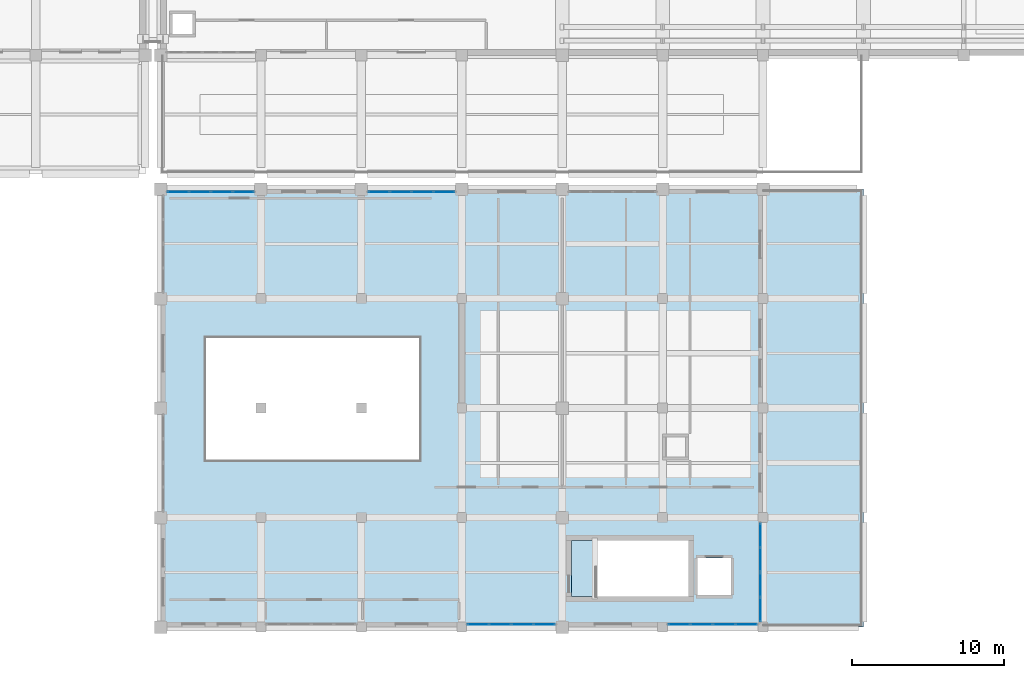
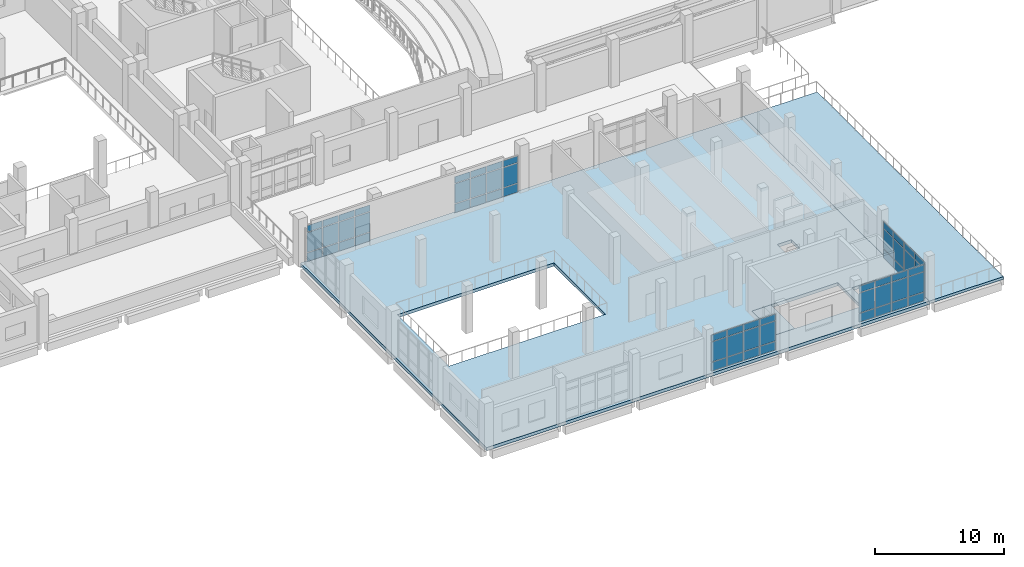
# One storey, part 27 of 54: 60 plates, 3 slabs, 6 elements without a shape of their own.
"""IFC4 building model written with IfcOpenShell, lengths in metres."""

from ifc_helpers import new_model, si_unit, direction, frame, origin, origin_2d, place, context, subcontext, project, spatial, polyline, rectangle, outline, extrude, material, layer, layer_set, type_object, element, aggregate, save


model = new_model("IFC4")

# Units and contexts
model_context = context("Model", 3, precision=1e-05, world=origin(), true_north=direction((0.0, 1.0)))
body_context = subcontext(model_context, "Body", "Model", "MODEL_VIEW")
ifc_project = project(units=[si_unit("LENGTHUNIT", "METRE"), si_unit("AREAUNIT", "SQUARE_METRE"), si_unit("VOLUMEUNIT", "CUBIC_METRE"), si_unit("PLANEANGLEUNIT", "RADIAN"), si_unit("MASSUNIT", "GRAM", prefix="KILO")], contexts=[model_context])

# Site, building, storey
site_placement = place(None, origin())
site = spatial("IfcSite", under=ifc_project, at=site_placement, CompositionType="ELEMENT")
building_placement = place(site_placement, origin())
building = spatial("IfcBuilding", under=site, at=building_placement, Name="Kelarvand Opera House", CompositionType="ELEMENT")
storey_placement = place(building_placement, frame((0.0, 0.0, 15.0)))
storey = spatial("IfcBuildingStorey", under=building, at=storey_placement, Name="L03", CompositionType="ELEMENT", Elevation=15.0)

# Slab
ifc_material_1 = material(Name="Concrete C35/45", Category="concrete")
ifc_layer_1 = layer(ifc_material_1, 0.219970703125, Name="Concrete C35/45", Category="concrete")
ifc_layer_set_1 = layer_set([ifc_layer_1], Name="Concrete C35/45")
slab_type_1 = type_object("IfcSlabType", Name="Core Stair Entry Landing Slab 220", PredefinedType="LANDING", material=ifc_layer_set_1)
slab_1_placement = place(storey_placement, frame((0.0, 0.0, -0.219970703125)))
element("IfcSlab", 1, at=slab_1_placement, inside=storey, type_object=slab_type_1, Name="C8 Stair Entry Landing L03", PredefinedType="LANDING", context=body_context, shape_type="SweptSolid", body=[
    extrude(outline(polyline([(116.0, 11.0), (117.719970703125, 11.0), (117.719970703125, 14.699951171875), (116.0, 14.699951171875), (116.0, 11.0)])), origin(), (0.0, 0.0, 1.0), 0.219970703125),
])

# Curtain wall, plates
ifc_material_2 = material(Name="Thermally broken aluminium and low-E glazing", Category="aluminium")
ifc_layer_2 = layer(ifc_material_2, 0.179931640625, Name="Thermally broken aluminium and low-E glazing", Category="aluminium")
ifc_layer_set_2 = layer_set([ifc_layer_2], Name="Thermally broken aluminium and low-E glazing")
curtain_wall_type_1 = type_object("IfcCurtainWallType", Name="Unitised Low-E Curtain Wall 3261x3530 Mod 1350 CWF-57", PredefinedType="USERDEFINED", material=ifc_layer_set_2)
curtain_wall_1_placement = place(storey_placement, origin())
curtain_wall_1 = element("IfcCurtainWall", 2, at=curtain_wall_1_placement, inside=storey, type_object=curtain_wall_type_1, Name="V6 L03 Curtain Wall CWF-57 (229)", ObjectType="UNITISED CURTAIN WALL", PredefinedType="USERDEFINED")
ifc_material_3 = material(Name="Low-E laminated double glazing", Category="glass")
ifc_layer_3 = layer(ifc_material_3, 0.031982421875, Name="Low-E laminated double glazing", Category="glass")
ifc_layer_set_3 = layer_set([ifc_layer_3], Name="Low-E laminated double glazing")
plate_type = type_object("IfcPlateType", Name="Low-E Argon Double Glazed Curtain Panel 32mm", PredefinedType="CURTAIN_PANEL", material=ifc_layer_set_3)
plate_1_placement = place(storey_placement, frame((128.419921875, 15.033447265625, 0.06494140625), z_axis=(0.0, 0.0, 1.0), x_axis=(0.0, -1.0, 0.0)))
plate_1 = element("IfcPlate", 3, at=plate_1_placement, type_object=plate_type, Name="CWF-57 panel 1.1", PredefinedType="CURTAIN_PANEL", context=body_context, shape_type="SweptSolid", body=[
    extrude(rectangle(XDim=1.532958984375, YDim=0.031982421875, at=origin_2d()), origin(), (0.0, 0.0, 1.0), 0.802490234375),
])
plate_2_placement = place(storey_placement, frame((128.419921875, 15.033447265625, 0.9326171875), z_axis=(0.0, 0.0, 1.0), x_axis=(0.0, -1.0, 0.0)))
plate_2 = element("IfcPlate", 4, at=plate_2_placement, type_object=plate_type, Name="CWF-57 panel 1.2", PredefinedType="CURTAIN_PANEL", context=body_context, shape_type="SweptSolid", body=[
    extrude(rectangle(XDim=1.532958984375, YDim=0.031982421875, at=origin_2d()), origin(), (0.0, 0.0, 1.0), 1.864990234375),
])
plate_3_placement = place(storey_placement, frame((128.419921875, 15.033447265625, 2.862548828125), z_axis=(0.0, 0.0, 1.0), x_axis=(0.0, -1.0, 0.0)))
plate_3 = element("IfcPlate", 5, at=plate_3_placement, type_object=plate_type, Name="CWF-57 panel 1.3", PredefinedType="CURTAIN_PANEL", context=body_context, shape_type="SweptSolid", body=[
    extrude(rectangle(XDim=1.532958984375, YDim=0.031982421875, at=origin_2d()), origin(), (0.0, 0.0, 1.0), 0.6025390625),
])
plate_4_placement = place(storey_placement, frame((128.419921875, 13.435546875, 0.06494140625), z_axis=(0.0, 0.0, 1.0), x_axis=(0.0, -1.0, 0.0)))
plate_4 = element("IfcPlate", 6, at=plate_4_placement, type_object=plate_type, Name="CWF-57 panel 2.1", PredefinedType="CURTAIN_PANEL", context=body_context, shape_type="SweptSolid", body=[
    extrude(rectangle(XDim=1.532958984375, YDim=0.031982421875, at=origin_2d()), origin(), (0.0, 0.0, 1.0), 0.802490234375),
])
plate_5_placement = place(storey_placement, frame((128.419921875, 13.435546875, 0.9326171875), z_axis=(0.0, 0.0, 1.0), x_axis=(0.0, -1.0, 0.0)))
plate_5 = element("IfcPlate", 7, at=plate_5_placement, type_object=plate_type, Name="CWF-57 panel 2.2", PredefinedType="CURTAIN_PANEL", context=body_context, shape_type="SweptSolid", body=[
    extrude(rectangle(XDim=1.532958984375, YDim=0.031982421875, at=origin_2d()), origin(), (0.0, 0.0, 1.0), 1.864990234375),
])
plate_6_placement = place(storey_placement, frame((128.419921875, 13.435546875, 2.862548828125), z_axis=(0.0, 0.0, 1.0), x_axis=(0.0, -1.0, 0.0)))
plate_6 = element("IfcPlate", 8, at=plate_6_placement, type_object=plate_type, Name="CWF-57 panel 2.3", PredefinedType="CURTAIN_PANEL", context=body_context, shape_type="SweptSolid", body=[
    extrude(rectangle(XDim=1.532958984375, YDim=0.031982421875, at=origin_2d()), origin(), (0.0, 0.0, 1.0), 0.6025390625),
])
aggregate(curtain_wall_1, [plate_1, plate_2, plate_3, plate_4, plate_5, plate_6])

curtain_wall_2_placement = place(storey_placement, origin())
curtain_wall_2 = element("IfcCurtainWall", 9, at=curtain_wall_2_placement, inside=storey, type_object=curtain_wall_type_1, Name="V6 L03 Curtain Wall CWF-57 (230)", ObjectType="UNITISED CURTAIN WALL", PredefinedType="USERDEFINED")
plate_7_placement = place(storey_placement, frame((128.419921875, 11.767578125, 0.06494140625), z_axis=(0.0, 0.0, 1.0), x_axis=(0.0, -1.0, 0.0)))
plate_7 = element("IfcPlate", 10, at=plate_7_placement, type_object=plate_type, Name="CWF-57 panel 1.1", PredefinedType="CURTAIN_PANEL", context=body_context, shape_type="SweptSolid", body=[
    extrude(rectangle(XDim=1.534912109375, YDim=0.031982421875, at=origin_2d()), origin(), (0.0, 0.0, 1.0), 0.802490234375),
])
plate_8_placement = place(storey_placement, frame((128.419921875, 11.767578125, 0.9326171875), z_axis=(0.0, 0.0, 1.0), x_axis=(0.0, -1.0, 0.0)))
plate_8 = element("IfcPlate", 11, at=plate_8_placement, type_object=plate_type, Name="CWF-57 panel 1.2", PredefinedType="CURTAIN_PANEL", context=body_context, shape_type="SweptSolid", body=[
    extrude(rectangle(XDim=1.534912109375, YDim=0.031982421875, at=origin_2d()), origin(), (0.0, 0.0, 1.0), 1.864990234375),
])
plate_9_placement = place(storey_placement, frame((128.419921875, 11.767578125, 2.862548828125), z_axis=(0.0, 0.0, 1.0), x_axis=(0.0, -1.0, 0.0)))
plate_9 = element("IfcPlate", 12, at=plate_9_placement, type_object=plate_type, Name="CWF-57 panel 1.3", PredefinedType="CURTAIN_PANEL", context=body_context, shape_type="SweptSolid", body=[
    extrude(rectangle(XDim=1.534912109375, YDim=0.031982421875, at=origin_2d()), origin(), (0.0, 0.0, 1.0), 0.6025390625),
])
plate_10_placement = place(storey_placement, frame((128.419921875, 10.16748046875, 0.06494140625), z_axis=(0.0, 0.0, 1.0), x_axis=(0.0, -1.0, 0.0)))
plate_10 = element("IfcPlate", 13, at=plate_10_placement, type_object=plate_type, Name="CWF-57 panel 2.1", PredefinedType="CURTAIN_PANEL", context=body_context, shape_type="SweptSolid", body=[
    extrude(rectangle(XDim=1.534912109375, YDim=0.031982421875, at=origin_2d()), origin(), (0.0, 0.0, 1.0), 0.802490234375),
])
plate_11_placement = place(storey_placement, frame((128.419921875, 10.16748046875, 0.9326171875), z_axis=(0.0, 0.0, 1.0), x_axis=(0.0, -1.0, 0.0)))
plate_11 = element("IfcPlate", 14, at=plate_11_placement, type_object=plate_type, Name="CWF-57 panel 2.2", PredefinedType="CURTAIN_PANEL", context=body_context, shape_type="SweptSolid", body=[
    extrude(rectangle(XDim=1.534912109375, YDim=0.031982421875, at=origin_2d()), origin(), (0.0, 0.0, 1.0), 1.864990234375),
])
plate_12_placement = place(storey_placement, frame((128.419921875, 10.16748046875, 2.862548828125), z_axis=(0.0, 0.0, 1.0), x_axis=(0.0, -1.0, 0.0)))
plate_12 = element("IfcPlate", 15, at=plate_12_placement, type_object=plate_type, Name="CWF-57 panel 2.3", PredefinedType="CURTAIN_PANEL", context=body_context, shape_type="SweptSolid", body=[
    extrude(rectangle(XDim=1.534912109375, YDim=0.031982421875, at=origin_2d()), origin(), (0.0, 0.0, 1.0), 0.6025390625),
])
aggregate(curtain_wall_2, [plate_7, plate_8, plate_9, plate_10, plate_11, plate_12])

ifc_layer_4 = layer(ifc_material_2, 0.179931640625, Name="Thermally broken aluminium and low-E glazing", Category="aluminium")
ifc_layer_set_4 = layer_set([ifc_layer_4], Name="Thermally broken aluminium and low-E glazing")
curtain_wall_type_2 = type_object("IfcCurtainWallType", Name="Unitised Low-E Curtain Wall 5760x3530 Mod 1350 CWF-58", PredefinedType="USERDEFINED", material=ifc_layer_set_4)
curtain_wall_3_placement = place(storey_placement, origin())
curtain_wall_3 = element("IfcCurtainWall", 16, at=curtain_wall_3_placement, inside=storey, type_object=curtain_wall_type_2, Name="V6 L03 Curtain Wall CWF-58 (231)", ObjectType="UNITISED CURTAIN WALL", PredefinedType="USERDEFINED")
plate_13_placement = place(storey_placement, frame((90.15625, 37.6201171875, 0.06494140625), z_axis=(0.0, 0.0, 1.0), x_axis=(1.0, 0.0, 0.0)))
plate_13 = element("IfcPlate", 17, at=plate_13_placement, type_object=plate_type, Name="CWF-58 panel 1.1", PredefinedType="CURTAIN_PANEL", context=body_context, shape_type="SweptSolid", body=[
    extrude(rectangle(XDim=1.342529296875, YDim=0.031982421875, at=origin_2d()), origin(), (0.0, 0.0, 1.0), 0.802490234375),
])
plate_14_placement = place(storey_placement, frame((90.15625, 37.6201171875, 0.9326171875), z_axis=(0.0, 0.0, 1.0), x_axis=(1.0, 0.0, 0.0)))
plate_14 = element("IfcPlate", 18, at=plate_14_placement, type_object=plate_type, Name="CWF-58 panel 1.2", PredefinedType="CURTAIN_PANEL", context=body_context, shape_type="SweptSolid", body=[
    extrude(rectangle(XDim=1.342529296875, YDim=0.031982421875, at=origin_2d()), origin(), (0.0, 0.0, 1.0), 1.864990234375),
])
plate_15_placement = place(storey_placement, frame((90.15625, 37.6201171875, 2.862548828125), z_axis=(0.0, 0.0, 1.0), x_axis=(1.0, 0.0, 0.0)))
plate_15 = element("IfcPlate", 19, at=plate_15_placement, type_object=plate_type, Name="CWF-58 panel 1.3", PredefinedType="CURTAIN_PANEL", context=body_context, shape_type="SweptSolid", body=[
    extrude(rectangle(XDim=1.342529296875, YDim=0.031982421875, at=origin_2d()), origin(), (0.0, 0.0, 1.0), 0.6025390625),
])
plate_16_placement = place(storey_placement, frame((91.580078125, 37.6201171875, 0.06494140625), z_axis=(0.0, 0.0, 1.0), x_axis=(1.0, 0.0, 0.0)))
plate_16 = element("IfcPlate", 20, at=plate_16_placement, type_object=plate_type, Name="CWF-58 panel 2.1", PredefinedType="CURTAIN_PANEL", context=body_context, shape_type="SweptSolid", body=[
    extrude(rectangle(XDim=1.375, YDim=0.031982421875, at=origin_2d()), origin(), (0.0, 0.0, 1.0), 0.802490234375),
])
plate_17_placement = place(storey_placement, frame((91.580078125, 37.6201171875, 0.9326171875), z_axis=(0.0, 0.0, 1.0), x_axis=(1.0, 0.0, 0.0)))
plate_17 = element("IfcPlate", 21, at=plate_17_placement, type_object=plate_type, Name="CWF-58 panel 2.2", PredefinedType="CURTAIN_PANEL", context=body_context, shape_type="SweptSolid", body=[
    extrude(rectangle(XDim=1.375, YDim=0.031982421875, at=origin_2d()), origin(), (0.0, 0.0, 1.0), 1.864990234375),
])
plate_18_placement = place(storey_placement, frame((91.580078125, 37.6201171875, 2.862548828125), z_axis=(0.0, 0.0, 1.0), x_axis=(1.0, 0.0, 0.0)))
plate_18 = element("IfcPlate", 22, at=plate_18_placement, type_object=plate_type, Name="CWF-58 panel 2.3", PredefinedType="CURTAIN_PANEL", context=body_context, shape_type="SweptSolid", body=[
    extrude(rectangle(XDim=1.375, YDim=0.031982421875, at=origin_2d()), origin(), (0.0, 0.0, 1.0), 0.6025390625),
])
plate_19_placement = place(storey_placement, frame((93.02001953125, 37.6201171875, 0.06494140625), z_axis=(0.0, 0.0, 1.0), x_axis=(1.0, 0.0, 0.0)))
plate_19 = element("IfcPlate", 23, at=plate_19_placement, type_object=plate_type, Name="CWF-58 panel 3.1", PredefinedType="CURTAIN_PANEL", context=body_context, shape_type="SweptSolid", body=[
    extrude(rectangle(XDim=1.375, YDim=0.031982421875, at=origin_2d()), origin(), (0.0, 0.0, 1.0), 0.802490234375),
])
plate_20_placement = place(storey_placement, frame((93.02001953125, 37.6201171875, 0.9326171875), z_axis=(0.0, 0.0, 1.0), x_axis=(1.0, 0.0, 0.0)))
plate_20 = element("IfcPlate", 24, at=plate_20_placement, type_object=plate_type, Name="CWF-58 panel 3.2", PredefinedType="CURTAIN_PANEL", context=body_context, shape_type="SweptSolid", body=[
    extrude(rectangle(XDim=1.375, YDim=0.031982421875, at=origin_2d()), origin(), (0.0, 0.0, 1.0), 1.864990234375),
])
plate_21_placement = place(storey_placement, frame((93.02001953125, 37.6201171875, 2.862548828125), z_axis=(0.0, 0.0, 1.0), x_axis=(1.0, 0.0, 0.0)))
plate_21 = element("IfcPlate", 25, at=plate_21_placement, type_object=plate_type, Name="CWF-58 panel 3.3", PredefinedType="CURTAIN_PANEL", context=body_context, shape_type="SweptSolid", body=[
    extrude(rectangle(XDim=1.375, YDim=0.031982421875, at=origin_2d()), origin(), (0.0, 0.0, 1.0), 0.6025390625),
])
plate_22_placement = place(storey_placement, frame((94.44384765625, 37.6201171875, 0.06494140625), z_axis=(0.0, 0.0, 1.0), x_axis=(1.0, 0.0, 0.0)))
plate_22 = element("IfcPlate", 26, at=plate_22_placement, type_object=plate_type, Name="CWF-58 panel 4.1", PredefinedType="CURTAIN_PANEL", context=body_context, shape_type="SweptSolid", body=[
    extrude(rectangle(XDim=1.342529296875, YDim=0.031982421875, at=origin_2d()), origin(), (0.0, 0.0, 1.0), 0.802490234375),
])
plate_23_placement = place(storey_placement, frame((94.44384765625, 37.6201171875, 0.9326171875), z_axis=(0.0, 0.0, 1.0), x_axis=(1.0, 0.0, 0.0)))
plate_23 = element("IfcPlate", 27, at=plate_23_placement, type_object=plate_type, Name="CWF-58 panel 4.2", PredefinedType="CURTAIN_PANEL", context=body_context, shape_type="SweptSolid", body=[
    extrude(rectangle(XDim=1.342529296875, YDim=0.031982421875, at=origin_2d()), origin(), (0.0, 0.0, 1.0), 1.864990234375),
])
plate_24_placement = place(storey_placement, frame((94.44384765625, 37.6201171875, 2.862548828125), z_axis=(0.0, 0.0, 1.0), x_axis=(1.0, 0.0, 0.0)))
plate_24 = element("IfcPlate", 28, at=plate_24_placement, type_object=plate_type, Name="CWF-58 panel 4.3", PredefinedType="CURTAIN_PANEL", context=body_context, shape_type="SweptSolid", body=[
    extrude(rectangle(XDim=1.342529296875, YDim=0.031982421875, at=origin_2d()), origin(), (0.0, 0.0, 1.0), 0.6025390625),
])
aggregate(curtain_wall_3, [plate_13, plate_14, plate_15, plate_16, plate_17, plate_18, plate_19, plate_20, plate_21, plate_22, plate_23, plate_24])

curtain_wall_4_placement = place(storey_placement, origin())
curtain_wall_4 = element("IfcCurtainWall", 29, at=curtain_wall_4_placement, inside=storey, type_object=curtain_wall_type_2, Name="V6 L03 Curtain Wall CWF-58 (232)", ObjectType="UNITISED CURTAIN WALL", PredefinedType="USERDEFINED")
plate_25_placement = place(storey_placement, frame((103.356201171875, 37.6201171875, 0.06494140625), z_axis=(0.0, 0.0, 1.0), x_axis=(1.0, 0.0, 0.0)))
plate_25 = element("IfcPlate", 30, at=plate_25_placement, type_object=plate_type, Name="CWF-58 panel 1.1", PredefinedType="CURTAIN_PANEL", context=body_context, shape_type="SweptSolid", body=[
    extrude(rectangle(XDim=1.342529296875, YDim=0.031982421875, at=origin_2d()), origin(), (0.0, 0.0, 1.0), 0.802490234375),
])
plate_26_placement = place(storey_placement, frame((103.356201171875, 37.6201171875, 0.9326171875), z_axis=(0.0, 0.0, 1.0), x_axis=(1.0, 0.0, 0.0)))
plate_26 = element("IfcPlate", 31, at=plate_26_placement, type_object=plate_type, Name="CWF-58 panel 1.2", PredefinedType="CURTAIN_PANEL", context=body_context, shape_type="SweptSolid", body=[
    extrude(rectangle(XDim=1.342529296875, YDim=0.031982421875, at=origin_2d()), origin(), (0.0, 0.0, 1.0), 1.864990234375),
])
plate_27_placement = place(storey_placement, frame((103.356201171875, 37.6201171875, 2.862548828125), z_axis=(0.0, 0.0, 1.0), x_axis=(1.0, 0.0, 0.0)))
plate_27 = element("IfcPlate", 32, at=plate_27_placement, type_object=plate_type, Name="CWF-58 panel 1.3", PredefinedType="CURTAIN_PANEL", context=body_context, shape_type="SweptSolid", body=[
    extrude(rectangle(XDim=1.342529296875, YDim=0.031982421875, at=origin_2d()), origin(), (0.0, 0.0, 1.0), 0.6025390625),
])
plate_28_placement = place(storey_placement, frame((104.780029296875, 37.6201171875, 0.06494140625), z_axis=(0.0, 0.0, 1.0), x_axis=(1.0, 0.0, 0.0)))
plate_28 = element("IfcPlate", 33, at=plate_28_placement, type_object=plate_type, Name="CWF-58 panel 2.1", PredefinedType="CURTAIN_PANEL", context=body_context, shape_type="SweptSolid", body=[
    extrude(rectangle(XDim=1.375, YDim=0.031982421875, at=origin_2d()), origin(), (0.0, 0.0, 1.0), 0.802490234375),
])
plate_29_placement = place(storey_placement, frame((104.780029296875, 37.6201171875, 0.9326171875), z_axis=(0.0, 0.0, 1.0), x_axis=(1.0, 0.0, 0.0)))
plate_29 = element("IfcPlate", 34, at=plate_29_placement, type_object=plate_type, Name="CWF-58 panel 2.2", PredefinedType="CURTAIN_PANEL", context=body_context, shape_type="SweptSolid", body=[
    extrude(rectangle(XDim=1.375, YDim=0.031982421875, at=origin_2d()), origin(), (0.0, 0.0, 1.0), 1.864990234375),
])
plate_30_placement = place(storey_placement, frame((104.780029296875, 37.6201171875, 2.862548828125), z_axis=(0.0, 0.0, 1.0), x_axis=(1.0, 0.0, 0.0)))
plate_30 = element("IfcPlate", 35, at=plate_30_placement, type_object=plate_type, Name="CWF-58 panel 2.3", PredefinedType="CURTAIN_PANEL", context=body_context, shape_type="SweptSolid", body=[
    extrude(rectangle(XDim=1.375, YDim=0.031982421875, at=origin_2d()), origin(), (0.0, 0.0, 1.0), 0.6025390625),
])
plate_31_placement = place(storey_placement, frame((106.219970703125, 37.6201171875, 0.06494140625), z_axis=(0.0, 0.0, 1.0), x_axis=(1.0, 0.0, 0.0)))
plate_31 = element("IfcPlate", 36, at=plate_31_placement, type_object=plate_type, Name="CWF-58 panel 3.1", PredefinedType="CURTAIN_PANEL", context=body_context, shape_type="SweptSolid", body=[
    extrude(rectangle(XDim=1.375, YDim=0.031982421875, at=origin_2d()), origin(), (0.0, 0.0, 1.0), 0.802490234375),
])
plate_32_placement = place(storey_placement, frame((106.219970703125, 37.6201171875, 0.9326171875), z_axis=(0.0, 0.0, 1.0), x_axis=(1.0, 0.0, 0.0)))
plate_32 = element("IfcPlate", 37, at=plate_32_placement, type_object=plate_type, Name="CWF-58 panel 3.2", PredefinedType="CURTAIN_PANEL", context=body_context, shape_type="SweptSolid", body=[
    extrude(rectangle(XDim=1.375, YDim=0.031982421875, at=origin_2d()), origin(), (0.0, 0.0, 1.0), 1.864990234375),
])
plate_33_placement = place(storey_placement, frame((106.219970703125, 37.6201171875, 2.862548828125), z_axis=(0.0, 0.0, 1.0), x_axis=(1.0, 0.0, 0.0)))
plate_33 = element("IfcPlate", 38, at=plate_33_placement, type_object=plate_type, Name="CWF-58 panel 3.3", PredefinedType="CURTAIN_PANEL", context=body_context, shape_type="SweptSolid", body=[
    extrude(rectangle(XDim=1.375, YDim=0.031982421875, at=origin_2d()), origin(), (0.0, 0.0, 1.0), 0.6025390625),
])
plate_34_placement = place(storey_placement, frame((107.643798828125, 37.6201171875, 0.06494140625), z_axis=(0.0, 0.0, 1.0), x_axis=(1.0, 0.0, 0.0)))
plate_34 = element("IfcPlate", 39, at=plate_34_placement, type_object=plate_type, Name="CWF-58 panel 4.1", PredefinedType="CURTAIN_PANEL", context=body_context, shape_type="SweptSolid", body=[
    extrude(rectangle(XDim=1.342529296875, YDim=0.031982421875, at=origin_2d()), origin(), (0.0, 0.0, 1.0), 0.802490234375),
])
plate_35_placement = place(storey_placement, frame((107.643798828125, 37.6201171875, 0.9326171875), z_axis=(0.0, 0.0, 1.0), x_axis=(1.0, 0.0, 0.0)))
plate_35 = element("IfcPlate", 40, at=plate_35_placement, type_object=plate_type, Name="CWF-58 panel 4.2", PredefinedType="CURTAIN_PANEL", context=body_context, shape_type="SweptSolid", body=[
    extrude(rectangle(XDim=1.342529296875, YDim=0.031982421875, at=origin_2d()), origin(), (0.0, 0.0, 1.0), 1.864990234375),
])
plate_36_placement = place(storey_placement, frame((107.643798828125, 37.6201171875, 2.862548828125), z_axis=(0.0, 0.0, 1.0), x_axis=(1.0, 0.0, 0.0)))
plate_36 = element("IfcPlate", 41, at=plate_36_placement, type_object=plate_type, Name="CWF-58 panel 4.3", PredefinedType="CURTAIN_PANEL", context=body_context, shape_type="SweptSolid", body=[
    extrude(rectangle(XDim=1.342529296875, YDim=0.031982421875, at=origin_2d()), origin(), (0.0, 0.0, 1.0), 0.6025390625),
])
aggregate(curtain_wall_4, [plate_25, plate_26, plate_27, plate_28, plate_29, plate_30, plate_31, plate_32, plate_33, plate_34, plate_35, plate_36])

ifc_layer_5 = layer(ifc_material_2, 0.179931640625, Name="Thermally broken aluminium and low-E glazing", Category="aluminium")
ifc_layer_set_5 = layer_set([ifc_layer_5], Name="Thermally broken aluminium and low-E glazing")
curtain_wall_type_3 = type_object("IfcCurtainWallType", Name="Unitised Low-E Curtain Wall 5930x3530 Mod 1350 CWF-60", PredefinedType="USERDEFINED", material=ifc_layer_set_5)
curtain_wall_5_placement = place(storey_placement, origin())
curtain_wall_5 = element("IfcCurtainWall", 42, at=curtain_wall_5_placement, inside=storey, type_object=curtain_wall_type_3, Name="V6 L03 Curtain Wall CWF-60 (238)", ObjectType="UNITISED CURTAIN WALL", PredefinedType="USERDEFINED")
plate_37_placement = place(storey_placement, frame((127.507568359375, 9.179931640625, 0.06494140625), z_axis=(0.0, 0.0, 1.0), x_axis=(-1.0, 0.0, 0.0)))
plate_37 = element("IfcPlate", 43, at=plate_37_placement, type_object=plate_type, Name="CWF-60 panel 1.1", PredefinedType="CURTAIN_PANEL", context=body_context, shape_type="SweptSolid", body=[
    extrude(rectangle(XDim=1.385009765625, YDim=0.031982421875, at=origin_2d()), origin(), (0.0, 0.0, 1.0), 0.802490234375),
])
plate_38_placement = place(storey_placement, frame((127.507568359375, 9.179931640625, 0.9326171875), z_axis=(0.0, 0.0, 1.0), x_axis=(-1.0, 0.0, 0.0)))
plate_38 = element("IfcPlate", 44, at=plate_38_placement, type_object=plate_type, Name="CWF-60 panel 1.2", PredefinedType="CURTAIN_PANEL", context=body_context, shape_type="SweptSolid", body=[
    extrude(rectangle(XDim=1.385009765625, YDim=0.031982421875, at=origin_2d()), origin(), (0.0, 0.0, 1.0), 1.864990234375),
])
plate_39_placement = place(storey_placement, frame((127.507568359375, 9.179931640625, 2.862548828125), z_axis=(0.0, 0.0, 1.0), x_axis=(-1.0, 0.0, 0.0)))
plate_39 = element("IfcPlate", 45, at=plate_39_placement, type_object=plate_type, Name="CWF-60 panel 1.3", PredefinedType="CURTAIN_PANEL", context=body_context, shape_type="SweptSolid", body=[
    extrude(rectangle(XDim=1.385009765625, YDim=0.031982421875, at=origin_2d()), origin(), (0.0, 0.0, 1.0), 0.6025390625),
])
plate_40_placement = place(storey_placement, frame((126.041259765625, 9.179931640625, 0.06494140625), z_axis=(0.0, 0.0, 1.0), x_axis=(-1.0, 0.0, 0.0)))
plate_40 = element("IfcPlate", 46, at=plate_40_placement, type_object=plate_type, Name="CWF-60 panel 2.1", PredefinedType="CURTAIN_PANEL", context=body_context, shape_type="SweptSolid", body=[
    extrude(rectangle(XDim=1.41748046875, YDim=0.031982421875, at=origin_2d()), origin(), (0.0, 0.0, 1.0), 0.802490234375),
])
plate_41_placement = place(storey_placement, frame((126.041259765625, 9.179931640625, 0.9326171875), z_axis=(0.0, 0.0, 1.0), x_axis=(-1.0, 0.0, 0.0)))
plate_41 = element("IfcPlate", 47, at=plate_41_placement, type_object=plate_type, Name="CWF-60 panel 2.2", PredefinedType="CURTAIN_PANEL", context=body_context, shape_type="SweptSolid", body=[
    extrude(rectangle(XDim=1.41748046875, YDim=0.031982421875, at=origin_2d()), origin(), (0.0, 0.0, 1.0), 1.864990234375),
])
plate_42_placement = place(storey_placement, frame((126.041259765625, 9.179931640625, 2.862548828125), z_axis=(0.0, 0.0, 1.0), x_axis=(-1.0, 0.0, 0.0)))
plate_42 = element("IfcPlate", 48, at=plate_42_placement, type_object=plate_type, Name="CWF-60 panel 2.3", PredefinedType="CURTAIN_PANEL", context=body_context, shape_type="SweptSolid", body=[
    extrude(rectangle(XDim=1.41748046875, YDim=0.031982421875, at=origin_2d()), origin(), (0.0, 0.0, 1.0), 0.6025390625),
])
plate_43_placement = place(storey_placement, frame((124.558837890625, 9.179931640625, 0.06494140625), z_axis=(0.0, 0.0, 1.0), x_axis=(-1.0, 0.0, 0.0)))
plate_43 = element("IfcPlate", 49, at=plate_43_placement, type_object=plate_type, Name="CWF-60 panel 3.1", PredefinedType="CURTAIN_PANEL", context=body_context, shape_type="SweptSolid", body=[
    extrude(rectangle(XDim=1.41748046875, YDim=0.031982421875, at=origin_2d()), origin(), (0.0, 0.0, 1.0), 0.802490234375),
])
plate_44_placement = place(storey_placement, frame((124.558837890625, 9.179931640625, 0.9326171875), z_axis=(0.0, 0.0, 1.0), x_axis=(-1.0, 0.0, 0.0)))
plate_44 = element("IfcPlate", 50, at=plate_44_placement, type_object=plate_type, Name="CWF-60 panel 3.2", PredefinedType="CURTAIN_PANEL", context=body_context, shape_type="SweptSolid", body=[
    extrude(rectangle(XDim=1.41748046875, YDim=0.031982421875, at=origin_2d()), origin(), (0.0, 0.0, 1.0), 1.864990234375),
])
plate_45_placement = place(storey_placement, frame((124.558837890625, 9.179931640625, 2.862548828125), z_axis=(0.0, 0.0, 1.0), x_axis=(-1.0, 0.0, 0.0)))
plate_45 = element("IfcPlate", 51, at=plate_45_placement, type_object=plate_type, Name="CWF-60 panel 3.3", PredefinedType="CURTAIN_PANEL", context=body_context, shape_type="SweptSolid", body=[
    extrude(rectangle(XDim=1.41748046875, YDim=0.031982421875, at=origin_2d()), origin(), (0.0, 0.0, 1.0), 0.6025390625),
])
plate_46_placement = place(storey_placement, frame((123.092529296875, 9.179931640625, 0.06494140625), z_axis=(0.0, 0.0, 1.0), x_axis=(-1.0, 0.0, 0.0)))
plate_46 = element("IfcPlate", 52, at=plate_46_placement, type_object=plate_type, Name="CWF-60 panel 4.1", PredefinedType="CURTAIN_PANEL", context=body_context, shape_type="SweptSolid", body=[
    extrude(rectangle(XDim=1.385009765625, YDim=0.031982421875, at=origin_2d()), origin(), (0.0, 0.0, 1.0), 0.802490234375),
])
plate_47_placement = place(storey_placement, frame((123.092529296875, 9.179931640625, 0.9326171875), z_axis=(0.0, 0.0, 1.0), x_axis=(-1.0, 0.0, 0.0)))
plate_47 = element("IfcPlate", 53, at=plate_47_placement, type_object=plate_type, Name="CWF-60 panel 4.2", PredefinedType="CURTAIN_PANEL", context=body_context, shape_type="SweptSolid", body=[
    extrude(rectangle(XDim=1.385009765625, YDim=0.031982421875, at=origin_2d()), origin(), (0.0, 0.0, 1.0), 1.864990234375),
])
plate_48_placement = place(storey_placement, frame((123.092529296875, 9.179931640625, 2.862548828125), z_axis=(0.0, 0.0, 1.0), x_axis=(-1.0, 0.0, 0.0)))
plate_48 = element("IfcPlate", 54, at=plate_48_placement, type_object=plate_type, Name="CWF-60 panel 4.3", PredefinedType="CURTAIN_PANEL", context=body_context, shape_type="SweptSolid", body=[
    extrude(rectangle(XDim=1.385009765625, YDim=0.031982421875, at=origin_2d()), origin(), (0.0, 0.0, 1.0), 0.6025390625),
])
aggregate(curtain_wall_5, [plate_37, plate_38, plate_39, plate_40, plate_41, plate_42, plate_43, plate_44, plate_45, plate_46, plate_47, plate_48])

ifc_layer_6 = layer(ifc_material_2, 0.179931640625, Name="Thermally broken aluminium and low-E glazing", Category="aluminium")
ifc_layer_set_6 = layer_set([ifc_layer_6], Name="Thermally broken aluminium and low-E glazing")
curtain_wall_type_4 = type_object("IfcCurtainWallType", Name="Unitised Low-E Curtain Wall 5845x3530 Mod 1350 CWF-61", PredefinedType="USERDEFINED", material=ifc_layer_set_6)
curtain_wall_6_placement = place(storey_placement, origin())
curtain_wall_6 = element("IfcCurtainWall", 55, at=curtain_wall_6_placement, inside=storey, type_object=curtain_wall_type_4, Name="V6 L03 Curtain Wall CWF-61 (239)", ObjectType="UNITISED CURTAIN WALL", PredefinedType="USERDEFINED")
plate_49_placement = place(storey_placement, frame((114.233154296875, 9.179931640625, 0.06494140625), z_axis=(0.0, 0.0, 1.0), x_axis=(-1.0, 0.0, 0.0)))
plate_49 = element("IfcPlate", 56, at=plate_49_placement, type_object=plate_type, Name="CWF-61 panel 1.1", PredefinedType="CURTAIN_PANEL", context=body_context, shape_type="SweptSolid", body=[
    extrude(rectangle(XDim=1.36376953125, YDim=0.031982421875, at=origin_2d()), origin(), (0.0, 0.0, 1.0), 0.802490234375),
])
plate_50_placement = place(storey_placement, frame((114.233154296875, 9.179931640625, 0.9326171875), z_axis=(0.0, 0.0, 1.0), x_axis=(-1.0, 0.0, 0.0)))
plate_50 = element("IfcPlate", 57, at=plate_50_placement, type_object=plate_type, Name="CWF-61 panel 1.2", PredefinedType="CURTAIN_PANEL", context=body_context, shape_type="SweptSolid", body=[
    extrude(rectangle(XDim=1.36376953125, YDim=0.031982421875, at=origin_2d()), origin(), (0.0, 0.0, 1.0), 1.864990234375),
])
plate_51_placement = place(storey_placement, frame((114.233154296875, 9.179931640625, 2.862548828125), z_axis=(0.0, 0.0, 1.0), x_axis=(-1.0, 0.0, 0.0)))
plate_51 = element("IfcPlate", 58, at=plate_51_placement, type_object=plate_type, Name="CWF-61 panel 1.3", PredefinedType="CURTAIN_PANEL", context=body_context, shape_type="SweptSolid", body=[
    extrude(rectangle(XDim=1.36376953125, YDim=0.031982421875, at=origin_2d()), origin(), (0.0, 0.0, 1.0), 0.6025390625),
])
plate_52_placement = place(storey_placement, frame((112.7880859375, 9.179931640625, 0.06494140625), z_axis=(0.0, 0.0, 1.0), x_axis=(-1.0, 0.0, 0.0)))
plate_52 = element("IfcPlate", 59, at=plate_52_placement, type_object=plate_type, Name="CWF-61 panel 2.1", PredefinedType="CURTAIN_PANEL", context=body_context, shape_type="SweptSolid", body=[
    extrude(rectangle(XDim=1.396240234375, YDim=0.031982421875, at=origin_2d()), origin(), (0.0, 0.0, 1.0), 0.802490234375),
])
plate_53_placement = place(storey_placement, frame((112.7880859375, 9.179931640625, 0.9326171875), z_axis=(0.0, 0.0, 1.0), x_axis=(-1.0, 0.0, 0.0)))
plate_53 = element("IfcPlate", 60, at=plate_53_placement, type_object=plate_type, Name="CWF-61 panel 2.2", PredefinedType="CURTAIN_PANEL", context=body_context, shape_type="SweptSolid", body=[
    extrude(rectangle(XDim=1.396240234375, YDim=0.031982421875, at=origin_2d()), origin(), (0.0, 0.0, 1.0), 1.864990234375),
])
plate_54_placement = place(storey_placement, frame((112.7880859375, 9.179931640625, 2.862548828125), z_axis=(0.0, 0.0, 1.0), x_axis=(-1.0, 0.0, 0.0)))
plate_54 = element("IfcPlate", 61, at=plate_54_placement, type_object=plate_type, Name="CWF-61 panel 2.3", PredefinedType="CURTAIN_PANEL", context=body_context, shape_type="SweptSolid", body=[
    extrude(rectangle(XDim=1.396240234375, YDim=0.031982421875, at=origin_2d()), origin(), (0.0, 0.0, 1.0), 0.6025390625),
])
plate_55_placement = place(storey_placement, frame((111.326904296875, 9.179931640625, 0.06494140625), z_axis=(0.0, 0.0, 1.0), x_axis=(-1.0, 0.0, 0.0)))
plate_55 = element("IfcPlate", 62, at=plate_55_placement, type_object=plate_type, Name="CWF-61 panel 3.1", PredefinedType="CURTAIN_PANEL", context=body_context, shape_type="SweptSolid", body=[
    extrude(rectangle(XDim=1.396240234375, YDim=0.031982421875, at=origin_2d()), origin(), (0.0, 0.0, 1.0), 0.802490234375),
])
plate_56_placement = place(storey_placement, frame((111.326904296875, 9.179931640625, 0.9326171875), z_axis=(0.0, 0.0, 1.0), x_axis=(-1.0, 0.0, 0.0)))
plate_56 = element("IfcPlate", 63, at=plate_56_placement, type_object=plate_type, Name="CWF-61 panel 3.2", PredefinedType="CURTAIN_PANEL", context=body_context, shape_type="SweptSolid", body=[
    extrude(rectangle(XDim=1.396240234375, YDim=0.031982421875, at=origin_2d()), origin(), (0.0, 0.0, 1.0), 1.864990234375),
])
plate_57_placement = place(storey_placement, frame((111.326904296875, 9.179931640625, 2.862548828125), z_axis=(0.0, 0.0, 1.0), x_axis=(-1.0, 0.0, 0.0)))
plate_57 = element("IfcPlate", 64, at=plate_57_placement, type_object=plate_type, Name="CWF-61 panel 3.3", PredefinedType="CURTAIN_PANEL", context=body_context, shape_type="SweptSolid", body=[
    extrude(rectangle(XDim=1.396240234375, YDim=0.031982421875, at=origin_2d()), origin(), (0.0, 0.0, 1.0), 0.6025390625),
])
plate_58_placement = place(storey_placement, frame((109.8818359375, 9.179931640625, 0.06494140625), z_axis=(0.0, 0.0, 1.0), x_axis=(-1.0, 0.0, 0.0)))
plate_58 = element("IfcPlate", 65, at=plate_58_placement, type_object=plate_type, Name="CWF-61 panel 4.1", PredefinedType="CURTAIN_PANEL", context=body_context, shape_type="SweptSolid", body=[
    extrude(rectangle(XDim=1.36376953125, YDim=0.031982421875, at=origin_2d()), origin(), (0.0, 0.0, 1.0), 0.802490234375),
])
plate_59_placement = place(storey_placement, frame((109.8818359375, 9.179931640625, 0.9326171875), z_axis=(0.0, 0.0, 1.0), x_axis=(-1.0, 0.0, 0.0)))
plate_59 = element("IfcPlate", 66, at=plate_59_placement, type_object=plate_type, Name="CWF-61 panel 4.2", PredefinedType="CURTAIN_PANEL", context=body_context, shape_type="SweptSolid", body=[
    extrude(rectangle(XDim=1.36376953125, YDim=0.031982421875, at=origin_2d()), origin(), (0.0, 0.0, 1.0), 1.864990234375),
])
plate_60_placement = place(storey_placement, frame((109.8818359375, 9.179931640625, 2.862548828125), z_axis=(0.0, 0.0, 1.0), x_axis=(-1.0, 0.0, 0.0)))
plate_60 = element("IfcPlate", 67, at=plate_60_placement, type_object=plate_type, Name="CWF-61 panel 4.3", PredefinedType="CURTAIN_PANEL", context=body_context, shape_type="SweptSolid", body=[
    extrude(rectangle(XDim=1.36376953125, YDim=0.031982421875, at=origin_2d()), origin(), (0.0, 0.0, 1.0), 0.6025390625),
])
aggregate(curtain_wall_6, [plate_49, plate_50, plate_51, plate_52, plate_53, plate_54, plate_55, plate_56, plate_57, plate_58, plate_59, plate_60])

# Slabs
ifc_layer_7 = layer(ifc_material_1, 0.25, Name="Concrete C35/45", Category="concrete")
ifc_layer_set_7 = layer_set([ifc_layer_7], Name="Concrete C35/45")
slab_type_2 = type_object("IfcSlabType", Name="Planted Roof Garden Terrace Slab 250", PredefinedType="FLOOR", material=ifc_layer_set_7)
slab_2_placement = place(storey_placement, frame((0.0, 0.0, -0.25)))
element("IfcSlab", 68, at=slab_2_placement, inside=storey, type_object=slab_type_2, Name="V6 L03 Planted Roof Terrace 1", PredefinedType="FLOOR", context=body_context, shape_type="SweptSolid", body=[
    extrude(outline(polyline([(128.60009765625, 9.0), (135.199951171875, 9.0), (135.199951171875, 37.800048828125), (128.60009765625, 37.800048828125), (128.60009765625, 9.0)])), origin(), (0.0, 0.0, 1.0), 0.25),
])
ifc_layer_8 = layer(ifc_material_1, 0.300048828125, Name="Concrete C35/45", Category="concrete")
ifc_layer_set_8 = layer_set([ifc_layer_8], Name="Concrete C35/45")
slab_type_3 = type_object("IfcSlabType", Name="Suspended Floor Slab 300", PredefinedType="FLOOR", material=ifc_layer_set_8)
slab_3_placement = place(storey_placement, frame((0.0, 0.0, -0.300048828125)))
element("IfcSlab", 69, at=slab_3_placement, inside=storey, type_object=slab_type_3, Name="V6 L03 Structural Slab 43", PredefinedType="FLOOR", context=body_context, shape_type="SweptSolid", body=[
    extrude(outline(polyline([(128.60009765625, 9.0), (128.60009765625, 37.800048828125), (89.0, 37.800048828125), (89.0, 9.0), (128.60009765625, 9.0)]), holes=[polyline([(124.300048828125, 13.550048828125), (126.5, 13.550048828125), (126.5, 11.10009765625), (124.300048828125, 11.10009765625), (124.300048828125, 13.550048828125)]), polyline([(116.0, 14.699951171875), (123.699951171875, 14.699951171875), (123.699951171875, 11.0), (116.0, 11.0), (116.0, 14.699951171875)]), polyline([(122.199951171875, 21.5), (123.5, 21.5), (123.5, 20.199951171875), (122.199951171875, 20.199951171875), (122.199951171875, 21.5)]), polyline([(92.0, 28.0), (106.0, 28.0), (106.0, 20.0), (92.0, 20.0), (92.0, 28.0)])]), origin(), (0.0, 0.0, 1.0), 0.300048828125),
])

save(model, "model.ifc")
